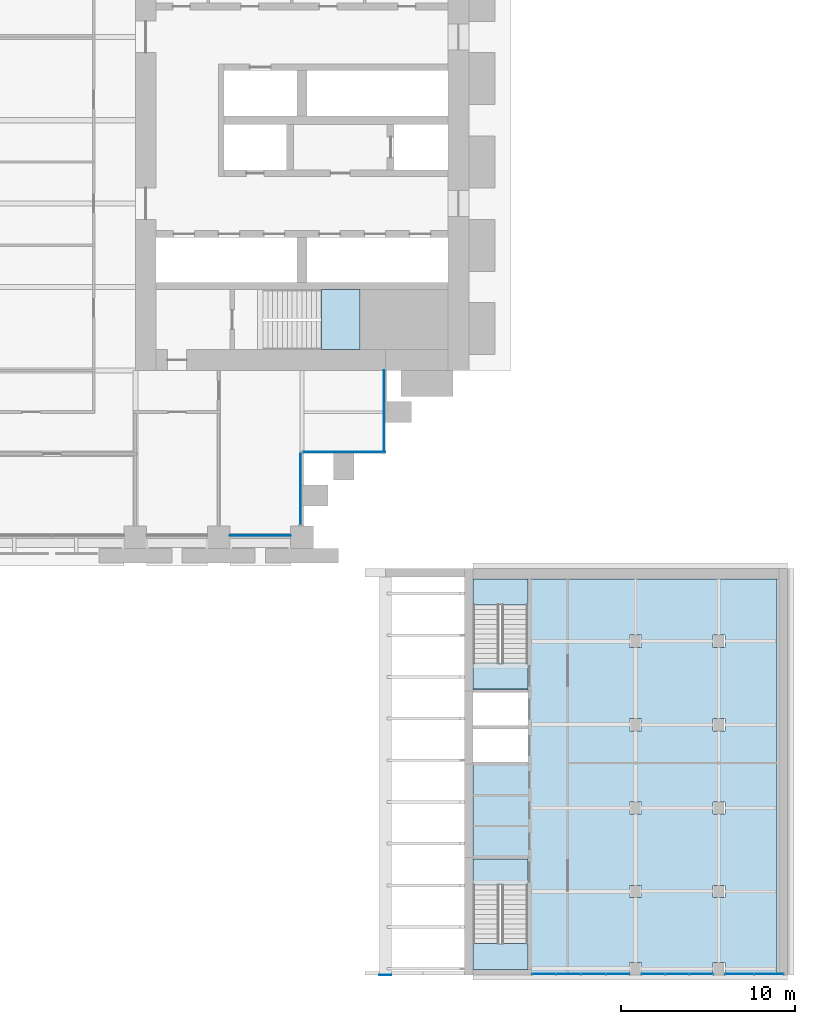
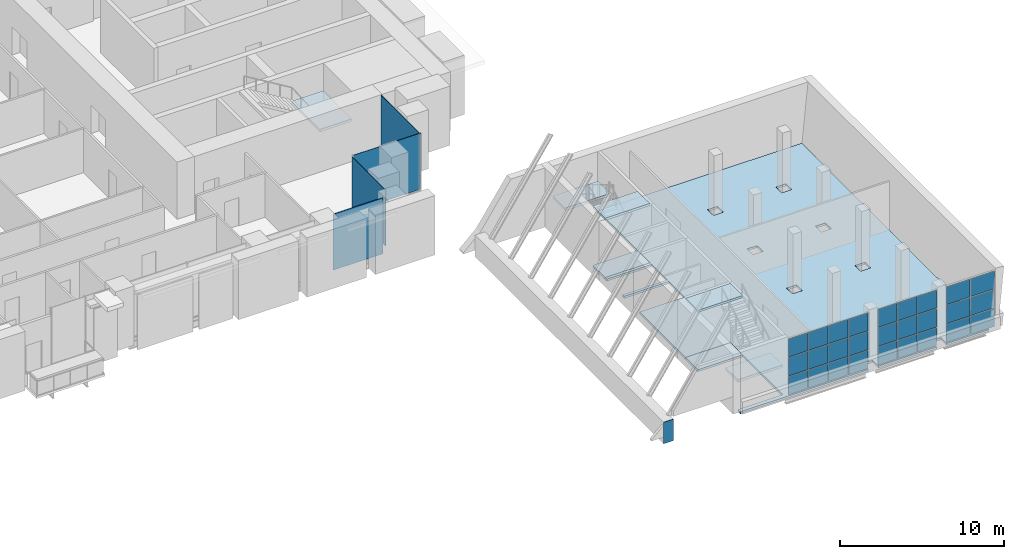
# One storey, part 20 of 32: 32 plates, 8 slabs, 10 elements without a shape of their own.
"""IFC4 building model written with IfcOpenShell, lengths in metres."""

from ifc_helpers import new_model, si_unit, direction, frame, origin, origin_2d, place, context, subcontext, project, spatial, polyline, rectangle, outline, extrude, material, layer, layer_set, type_object, element, aggregate, save


model = new_model("IFC4")

# Units and contexts
model_context = context("Model", 3, precision=1e-05, world=origin(), true_north=direction((0.0, 1.0)))
body_context = subcontext(model_context, "Body", "Model", "MODEL_VIEW")
ifc_project = project(units=[si_unit("LENGTHUNIT", "METRE"), si_unit("AREAUNIT", "SQUARE_METRE"), si_unit("VOLUMEUNIT", "CUBIC_METRE"), si_unit("PLANEANGLEUNIT", "RADIAN"), si_unit("MASSUNIT", "GRAM", prefix="KILO")], contexts=[model_context])

# Site, building, storey
site_placement = place(None, origin())
site = spatial("IfcSite", under=ifc_project, at=site_placement, CompositionType="ELEMENT")
building_placement = place(site_placement, origin())
building = spatial("IfcBuilding", under=site, at=building_placement, Name="Baori Bourse Tower", CompositionType="ELEMENT")
storey_placement = place(building_placement, frame((0.0, 0.0, 21.39990234375)))
storey = spatial("IfcBuildingStorey", under=building, at=storey_placement, Name="L03", CompositionType="ELEMENT", Elevation=21.39990234375)

# Curtain wall, plate
ifc_material_1 = material(Name="Pale anodised aluminium", Category="aluminium")
curtain_wall_type_1 = type_object("IfcCurtainWallType", Name="CW1 Curtain wall", PredefinedType="NOTDEFINED", material=ifc_material_1)
curtain_wall_1_placement = place(storey_placement, origin())
curtain_wall_1 = element("IfcCurtainWall", 1, at=curtain_wall_1_placement, inside=storey, type_object=curtain_wall_type_1, Name="Curtain wall CW1 L03 15", PredefinedType="NOTDEFINED")
ifc_material_2 = material(Name="Clear glass", Category="glass")
ifc_layer_1 = layer(ifc_material_2, 0.033935546875)
ifc_layer_set_1 = layer_set([ifc_layer_1], Name="CW1 Curtain wall panel")
plate_type_1 = type_object("IfcPlateType", Name="CW1 Curtain wall panel", PredefinedType="CURTAIN_PANEL", material=ifc_layer_set_1)
plate_1_placement = place(storey_placement, frame((45.60009765625, 0.10009765625, 0.080078125), z_axis=(0.0, 0.0, 1.0), x_axis=(1.0, 0.0, 0.0)))
plate_1 = element("IfcPlate", 2, at=plate_1_placement, type_object=plate_type_1, Name="Curtain wall CW1 panel", PredefinedType="CURTAIN_PANEL", context=body_context, shape_type="SweptSolid", body=[
    extrude(rectangle(XDim=3.5, YDim=0.033935546875, at=origin_2d()), origin(), (0.0, 0.0, 1.0), 4.159912109375),
])
aggregate(curtain_wall_1, [plate_1])

ifc_material_3 = material(Name="Pale anodised aluminium", Category="aluminium")
curtain_wall_type_2 = type_object("IfcCurtainWallType", Name="CW2 Curtain wall", PredefinedType="NOTDEFINED", material=ifc_material_3)
curtain_wall_2_placement = place(storey_placement, origin())
curtain_wall_2 = element("IfcCurtainWall", 3, at=curtain_wall_2_placement, inside=storey, type_object=curtain_wall_type_2, Name="Curtain wall CW2 L03 16", PredefinedType="NOTDEFINED")
ifc_material_4 = material(Name="Clear glass", Category="glass")
ifc_layer_2 = layer(ifc_material_4, 0.030029296875)
ifc_layer_set_2 = layer_set([ifc_layer_2], Name="CW2 Curtain wall panel")
plate_type_2 = type_object("IfcPlateType", Name="CW2 Curtain wall panel", PredefinedType="CURTAIN_PANEL", material=ifc_layer_set_2)
plate_2_placement = place(storey_placement, frame((47.909912109375, 2.75244140625, 0.070068359375), z_axis=(0.0, 0.0, 1.0), x_axis=(0.0, 1.0, 0.0)))
plate_2 = element("IfcPlate", 4, at=plate_2_placement, type_object=plate_type_2, Name="Curtain wall CW2 panel", PredefinedType="CURTAIN_PANEL", context=body_context, shape_type="SweptSolid", body=[
    extrude(rectangle(XDim=4.094970703125, YDim=0.030029296875, at=origin_2d()), origin(), (0.0, 0.0, 1.0), 4.169921875),
])
aggregate(curtain_wall_2, [plate_2])

curtain_wall_3_placement = place(storey_placement, origin())
curtain_wall_3 = element("IfcCurtainWall", 5, at=curtain_wall_3_placement, inside=storey, type_object=curtain_wall_type_2, Name="Curtain wall CW2 L03 17", PredefinedType="NOTDEFINED")
plate_3_placement = place(storey_placement, frame((50.427490234375, 4.889892578125, 0.070068359375), z_axis=(0.0, 0.0, 1.0), x_axis=(1.0, 0.0, 0.0)))
plate_3 = element("IfcPlate", 6, at=plate_3_placement, type_object=plate_type_2, Name="Curtain wall CW2 panel", PredefinedType="CURTAIN_PANEL", context=body_context, shape_type="SweptSolid", body=[
    extrude(rectangle(XDim=4.7451171875, YDim=0.030029296875, at=origin_2d()), origin(), (0.0, 0.0, 1.0), 4.169921875),
])
aggregate(curtain_wall_3, [plate_3])

curtain_wall_4_placement = place(storey_placement, origin())
curtain_wall_4 = element("IfcCurtainWall", 7, at=curtain_wall_4_placement, inside=storey, type_object=curtain_wall_type_2, Name="Curtain wall CW2 L03 18", PredefinedType="NOTDEFINED")
plate_4_placement = place(storey_placement, frame((52.7099609375, 7.2275390625, 0.070068359375), z_axis=(0.0, 0.0, 1.0), x_axis=(0.0, 1.0, 0.0)))
plate_4 = element("IfcPlate", 8, at=plate_4_placement, type_object=plate_type_2, Name="Curtain wall CW2 panel", PredefinedType="CURTAIN_PANEL", context=body_context, shape_type="SweptSolid", body=[
    extrude(rectangle(XDim=4.7451171875, YDim=0.030029296875, at=origin_2d()), origin(), (0.0, 0.0, 1.0), 4.169921875),
])
aggregate(curtain_wall_4, [plate_4])

# Stair, slab
ifc_material_5 = material(Name="Concrete f'c 50 MPa", Category="concrete")
stair_type_1 = type_object("IfcStairType", Name="Core stair", PredefinedType="HALF_TURN_STAIR", material=ifc_material_5)
stair_1_placement = place(storey_placement, origin())
stair_1 = element("IfcStair", 9, at=stair_1_placement, inside=storey, type_object=stair_type_1, Name="L03 Stair EA", PredefinedType="HALF_TURN_STAIR")
ifc_material_6 = material(Name="Concrete f'c 50 MPa", Category="concrete")
slab_type_1 = type_object("IfcSlabType", Name="Core stair landing", PredefinedType="LANDING", material=ifc_material_6)
slab_1_placement = place(storey_placement, frame((0.0, 0.0, 2.0)))
slab_1 = element("IfcSlab", 10, at=slab_1_placement, type_object=slab_type_1, Name="ST3 landing 1", PredefinedType="LANDING", context=body_context, shape_type="SweptSolid", body=[
    extrude(outline(polyline([(49.110107421875, 10.800048828125), (51.35009765625, 10.800048828125), (51.35009765625, 14.25), (49.110107421875, 14.25), (49.110107421875, 10.800048828125)])), origin(), (0.0, 0.0, 1.0), 0.2001953125),
])
aggregate(stair_1, [slab_1])

# Stair, slabs
ifc_material_7 = material(Name="Concrete f'c 40 MPa", Category="concrete")
stair_type_2 = type_object("IfcStairType", Name="Wing exit stair 1500", PredefinedType="HALF_TURN_STAIR", material=ifc_material_7)
stair_2_placement = place(storey_placement, origin())
stair_2 = element("IfcStair", 11, at=stair_2_placement, inside=storey, type_object=stair_type_2, Name="L03 Exit stair EA", PredefinedType="HALF_TURN_STAIR")
ifc_material_8 = material(Name="Concrete f'c 40 MPa", Category="concrete")
ifc_layer_3 = layer(ifc_material_8, 0.159912109375)
ifc_layer_set_3 = layer_set([ifc_layer_3], Name="Exit stair arrival landing 160")
slab_type_2 = type_object("IfcSlabType", Name="Exit stair arrival landing 160", PredefinedType="LANDING", material=ifc_layer_set_3)
slab_2_placement = place(storey_placement, frame((0.0, 0.0, -0.159912109375)))
slab_2 = element("IfcSlab", 12, at=slab_2_placement, type_object=slab_type_2, Name="L03 exit stair EA arrival landing", PredefinedType="LANDING", context=body_context, shape_type="SweptSolid", body=[
    extrude(outline(polyline([(61.0, -7.258544921875), (57.85009765625, -7.258544921875), (57.85009765625, -8.760009765625), (61.0, -8.760009765625), (61.0, -7.258544921875)])), origin(), (0.0, 0.0, 1.0), 0.159912109375),
])
placement = place(building_placement, frame((0.0, 0.0, 25.800048828125)))
slab_3_placement = place(placement, frame((0.0, 0.0, -0.16015625)))
slab_3 = element("IfcSlab", 13, at=slab_3_placement, type_object=slab_type_2, Name="L04 exit stair EA arrival landing", PredefinedType="LANDING", context=body_context, shape_type="SweptSolid", body=[
    extrude(outline(polyline([(61.0, -7.258544921875), (57.85009765625, -7.258544921875), (57.85009765625, -8.760009765625), (61.0, -8.760009765625), (61.0, -7.258544921875)])), origin(), (0.0, 0.0, 1.0), 0.16015625),
])

stair_3_placement = place(storey_placement, origin())
stair_3 = element("IfcStair", 14, at=stair_3_placement, inside=storey, type_object=stair_type_2, Name="L03 Exit stair EB", PredefinedType="HALF_TURN_STAIR")
slab_4_placement = place(storey_placement, frame((0.0, 0.0, -0.159912109375)))
slab_4 = element("IfcSlab", 15, at=slab_4_placement, type_object=slab_type_2, Name="L03 exit stair EB arrival landing", PredefinedType="LANDING", context=body_context, shape_type="SweptSolid", body=[
    extrude(outline(polyline([(57.85009765625, -20.04150390625), (61.0, -20.04150390625), (61.0, -18.5400390625), (57.85009765625, -18.5400390625), (57.85009765625, -20.04150390625)])), origin(), (0.0, 0.0, 1.0), 0.159912109375),
])
slab_5_placement = place(placement, frame((0.0, 0.0, -0.16015625)))
slab_5 = element("IfcSlab", 16, at=slab_5_placement, type_object=slab_type_2, Name="L04 exit stair EB arrival landing", PredefinedType="LANDING", context=body_context, shape_type="SweptSolid", body=[
    extrude(outline(polyline([(57.85009765625, -20.04150390625), (61.0, -20.04150390625), (61.0, -18.5400390625), (57.85009765625, -18.5400390625), (57.85009765625, -20.04150390625)])), origin(), (0.0, 0.0, 1.0), 0.16015625),
])

# Plate
ifc_material_9 = material(Name="Steel A572 Gr 50", Category="steel")
ifc_layer_4 = layer(ifc_material_9, 0.030029296875)
ifc_layer_set_4 = layer_set([ifc_layer_4], Name="Girder end plate 30")
plate_type_3 = type_object("IfcPlateType", Name="Girder end plate 30", PredefinedType="SHEET", material=ifc_layer_set_4)
plate_5_placement = place(storey_placement, frame((0.0, 0.0, -0.47314453125)))
element("IfcPlate", 17, at=plate_5_placement, inside=storey, type_object=plate_type_3, Name="Girder end plate", PredefinedType="SHEET", context=body_context, shape_type="SweptSolid", body=[
    extrude(outline(polyline([(52.449951171875, -25.22998046875), (53.14990234375, -25.22998046875), (53.14990234375, -25.199951171875), (52.449951171875, -25.199951171875), (52.449951171875, -25.22998046875)])), origin(), (0.0, 0.0, 1.0), 1.599853515625),
])

# Slab
ifc_material_10 = material(Name="Concrete f'c 40 MPa", Category="concrete")
ifc_layer_5 = layer(ifc_material_10, 0.159912109375)
ifc_layer_set_5 = layer_set([ifc_layer_5], Name="Wing floor slab 160")
slab_type_3 = type_object("IfcSlabType", Name="Wing floor slab 160", PredefinedType="FLOOR", material=ifc_layer_set_5)
slab_6_placement = place(storey_placement, frame((0.0, 0.0, -0.159912109375)))
element("IfcSlab", 18, at=slab_6_placement, inside=storey, type_object=slab_type_3, Name="wing/L03/Efloor/001", PredefinedType="FLOOR", context=body_context, shape_type="SweptSolid", body=[
    extrude(outline(polyline([(61.0, -10.860107421875), (57.85009765625, -10.860107421875), (57.85009765625, -11.06005859375), (61.0, -11.06005859375), (61.0, -12.9599609375), (57.85009765625, -12.9599609375), (57.85009765625, -18.5400390625), (61.0, -18.5400390625), (61.0, -24.89990234375), (57.85009765625, -24.89990234375), (57.85009765625, -25.199951171875), (66.85009765625, -25.199951171875), (66.85009765625, -24.5), (67.550048828125, -24.5), (67.550048828125, -25.199951171875), (71.64990234375, -25.199951171875), (71.64990234375, -24.5), (72.35009765625, -24.5), (72.35009765625, -25.199951171875), (75.33447265625, -25.199951171875), (75.33447265625, -2.39990234375), (61.0, -2.39990234375), (61.0, -8.760009765625), (57.85009765625, -8.760009765625), (57.85009765625, -8.9599609375), (61.0, -8.9599609375), (61.0, -10.860107421875)]), holes=[polyline([(71.64990234375, -20.050048828125), (71.64990234375, -20.75), (72.35009765625, -20.75), (72.35009765625, -20.050048828125), (71.64990234375, -20.050048828125)]), polyline([(71.64990234375, -15.949951171875), (72.35009765625, -15.949951171875), (72.35009765625, -15.25), (71.64990234375, -15.25), (71.64990234375, -15.949951171875)]), polyline([(72.35009765625, -11.14990234375), (72.35009765625, -10.449951171875), (71.64990234375, -10.449951171875), (71.64990234375, -11.14990234375), (72.35009765625, -11.14990234375)]), polyline([(72.35009765625, -5.64990234375), (71.64990234375, -5.64990234375), (71.64990234375, -6.35009765625), (72.35009765625, -6.35009765625), (72.35009765625, -5.64990234375)]), polyline([(66.85009765625, -20.75), (67.550048828125, -20.75), (67.550048828125, -20.050048828125), (66.85009765625, -20.050048828125), (66.85009765625, -20.75)]), polyline([(67.550048828125, -15.949951171875), (67.550048828125, -15.25), (66.85009765625, -15.25), (66.85009765625, -15.949951171875), (67.550048828125, -15.949951171875)]), polyline([(67.550048828125, -10.449951171875), (66.85009765625, -10.449951171875), (66.85009765625, -11.14990234375), (67.550048828125, -11.14990234375), (67.550048828125, -10.449951171875)]), polyline([(66.85009765625, -5.64990234375), (66.85009765625, -6.35009765625), (67.550048828125, -6.35009765625), (67.550048828125, -5.64990234375), (66.85009765625, -5.64990234375)])]), origin(), (0.0, 0.0, 1.0), 0.159912109375),
])

# Curtain wall, plates
ifc_material_11 = material(Name="Pale anodised aluminium", Category="aluminium")
ifc_layer_6 = layer(ifc_material_11, 0.10009765625)
ifc_layer_set_6 = layer_set([ifc_layer_6], Name="Wing curtain wall")
curtain_wall_type_3 = type_object("IfcCurtainWallType", Name="Wing curtain wall", PredefinedType="NOTDEFINED", material=ifc_layer_set_6)
curtain_wall_5_placement = place(storey_placement, origin())
curtain_wall_5 = element("IfcCurtainWall", 19, at=curtain_wall_5_placement, inside=storey, type_object=curtain_wall_type_3, Name="wing/L03/Ecw/001", PredefinedType="NOTDEFINED")
ifc_material_12 = material(Name="Clear glass", Category="glass")
ifc_layer_7 = layer(ifc_material_12, 0.028076171875)
ifc_layer_set_7 = layer_set([ifc_layer_7], Name="Wing glass panel 28")
plate_type_4 = type_object("IfcPlateType", Name="Wing glass panel 28", PredefinedType="CURTAIN_PANEL", material=ifc_layer_set_7)
plate_6_placement = place(storey_placement, frame((73.183349609375, -25.14990234375, 0.06005859375), z_axis=(0.0, 0.0, 1.0), x_axis=(1.0, 0.0, 0.0)))
plate_6 = element("IfcPlate", 20, at=plate_6_placement, type_object=plate_type_4, Name="X12 panel 1.1", PredefinedType="CURTAIN_PANEL", context=body_context, shape_type="SweptSolid", body=[
    extrude(rectangle(XDim=1.646728515625, YDim=0.028076171875, at=origin_2d()), origin(), (0.0, 0.0, 1.0), 1.3232421875),
])
plate_7_placement = place(storey_placement, frame((73.183349609375, -25.14990234375, 1.443359375), z_axis=(0.0, 0.0, 1.0), x_axis=(1.0, 0.0, 0.0)))
plate_7 = element("IfcPlate", 21, at=plate_7_placement, type_object=plate_type_4, Name="X12 panel 1.2", PredefinedType="CURTAIN_PANEL", context=body_context, shape_type="SweptSolid", body=[
    extrude(rectangle(XDim=1.646728515625, YDim=0.028076171875, at=origin_2d()), origin(), (0.0, 0.0, 1.0), 1.353271484375),
])
plate_8_placement = place(storey_placement, frame((73.183349609375, -25.14990234375, 2.856689453125), z_axis=(0.0, 0.0, 1.0), x_axis=(1.0, 0.0, 0.0)))
plate_8 = element("IfcPlate", 22, at=plate_8_placement, type_object=plate_type_4, Name="X12 panel 1.3", PredefinedType="CURTAIN_PANEL", context=body_context, shape_type="SweptSolid", body=[
    extrude(rectangle(XDim=1.646728515625, YDim=0.028076171875, at=origin_2d()), origin(), (0.0, 0.0, 1.0), 1.3232421875),
])
plate_9_placement = place(storey_placement, frame((74.89013671875, -25.14990234375, 0.06005859375), z_axis=(0.0, 0.0, 1.0), x_axis=(1.0, 0.0, 0.0)))
plate_9 = element("IfcPlate", 23, at=plate_9_placement, type_object=plate_type_4, Name="X12 panel 2.1", PredefinedType="CURTAIN_PANEL", context=body_context, shape_type="SweptSolid", body=[
    extrude(rectangle(XDim=1.646728515625, YDim=0.028076171875, at=origin_2d()), origin(), (0.0, 0.0, 1.0), 1.3232421875),
])
plate_10_placement = place(storey_placement, frame((74.89013671875, -25.14990234375, 1.443359375), z_axis=(0.0, 0.0, 1.0), x_axis=(1.0, 0.0, 0.0)))
plate_10 = element("IfcPlate", 24, at=plate_10_placement, type_object=plate_type_4, Name="X12 panel 2.2", PredefinedType="CURTAIN_PANEL", context=body_context, shape_type="SweptSolid", body=[
    extrude(rectangle(XDim=1.646728515625, YDim=0.028076171875, at=origin_2d()), origin(), (0.0, 0.0, 1.0), 1.353271484375),
])
plate_11_placement = place(storey_placement, frame((74.89013671875, -25.14990234375, 2.856689453125), z_axis=(0.0, 0.0, 1.0), x_axis=(1.0, 0.0, 0.0)))
plate_11 = element("IfcPlate", 25, at=plate_11_placement, type_object=plate_type_4, Name="X12 panel 2.3", PredefinedType="CURTAIN_PANEL", context=body_context, shape_type="SweptSolid", body=[
    extrude(rectangle(XDim=1.646728515625, YDim=0.028076171875, at=origin_2d()), origin(), (0.0, 0.0, 1.0), 1.3232421875),
])
aggregate(curtain_wall_5, [plate_6, plate_7, plate_8, plate_9, plate_10, plate_11])

curtain_wall_6_placement = place(storey_placement, origin())
curtain_wall_6 = element("IfcCurtainWall", 26, at=curtain_wall_6_placement, inside=storey, type_object=curtain_wall_type_3, Name="wing/L03/Ecw/002", PredefinedType="NOTDEFINED")
plate_12_placement = place(storey_placement, frame((68.215087890625, -25.14990234375, 0.06005859375), z_axis=(0.0, 0.0, 1.0), x_axis=(1.0, 0.0, 0.0)))
plate_12 = element("IfcPlate", 27, at=plate_12_placement, type_object=plate_type_4, Name="X12 panel 1.1", PredefinedType="CURTAIN_PANEL", context=body_context, shape_type="SweptSolid", body=[
    extrude(rectangle(XDim=1.31005859375, YDim=0.028076171875, at=origin_2d()), origin(), (0.0, 0.0, 1.0), 1.3232421875),
])
plate_13_placement = place(storey_placement, frame((68.215087890625, -25.14990234375, 1.443359375), z_axis=(0.0, 0.0, 1.0), x_axis=(1.0, 0.0, 0.0)))
plate_13 = element("IfcPlate", 28, at=plate_13_placement, type_object=plate_type_4, Name="X12 panel 1.2", PredefinedType="CURTAIN_PANEL", context=body_context, shape_type="SweptSolid", body=[
    extrude(rectangle(XDim=1.31005859375, YDim=0.028076171875, at=origin_2d()), origin(), (0.0, 0.0, 1.0), 1.353271484375),
])
plate_14_placement = place(storey_placement, frame((68.215087890625, -25.14990234375, 2.856689453125), z_axis=(0.0, 0.0, 1.0), x_axis=(1.0, 0.0, 0.0)))
plate_14 = element("IfcPlate", 29, at=plate_14_placement, type_object=plate_type_4, Name="X12 panel 1.3", PredefinedType="CURTAIN_PANEL", context=body_context, shape_type="SweptSolid", body=[
    extrude(rectangle(XDim=1.31005859375, YDim=0.028076171875, at=origin_2d()), origin(), (0.0, 0.0, 1.0), 1.3232421875),
])
plate_15_placement = place(storey_placement, frame((69.60009765625, -25.14990234375, 0.06005859375), z_axis=(0.0, 0.0, 1.0), x_axis=(1.0, 0.0, 0.0)))
plate_15 = element("IfcPlate", 30, at=plate_15_placement, type_object=plate_type_4, Name="X12 panel 2.1", PredefinedType="CURTAIN_PANEL", context=body_context, shape_type="SweptSolid", body=[
    extrude(rectangle(XDim=1.340087890625, YDim=0.028076171875, at=origin_2d()), origin(), (0.0, 0.0, 1.0), 1.3232421875),
])
plate_16_placement = place(storey_placement, frame((69.60009765625, -25.14990234375, 1.443359375), z_axis=(0.0, 0.0, 1.0), x_axis=(1.0, 0.0, 0.0)))
plate_16 = element("IfcPlate", 31, at=plate_16_placement, type_object=plate_type_4, Name="X12 panel 2.2", PredefinedType="CURTAIN_PANEL", context=body_context, shape_type="SweptSolid", body=[
    extrude(rectangle(XDim=1.340087890625, YDim=0.028076171875, at=origin_2d()), origin(), (0.0, 0.0, 1.0), 1.353271484375),
])
plate_17_placement = place(storey_placement, frame((69.60009765625, -25.14990234375, 2.856689453125), z_axis=(0.0, 0.0, 1.0), x_axis=(1.0, 0.0, 0.0)))
plate_17 = element("IfcPlate", 32, at=plate_17_placement, type_object=plate_type_4, Name="X12 panel 2.3", PredefinedType="CURTAIN_PANEL", context=body_context, shape_type="SweptSolid", body=[
    extrude(rectangle(XDim=1.340087890625, YDim=0.028076171875, at=origin_2d()), origin(), (0.0, 0.0, 1.0), 1.3232421875),
])
plate_18_placement = place(storey_placement, frame((70.985107421875, -25.14990234375, 0.06005859375), z_axis=(0.0, 0.0, 1.0), x_axis=(1.0, 0.0, 0.0)))
plate_18 = element("IfcPlate", 33, at=plate_18_placement, type_object=plate_type_4, Name="X12 panel 3.1", PredefinedType="CURTAIN_PANEL", context=body_context, shape_type="SweptSolid", body=[
    extrude(rectangle(XDim=1.31005859375, YDim=0.028076171875, at=origin_2d()), origin(), (0.0, 0.0, 1.0), 1.3232421875),
])
plate_19_placement = place(storey_placement, frame((70.985107421875, -25.14990234375, 1.443359375), z_axis=(0.0, 0.0, 1.0), x_axis=(1.0, 0.0, 0.0)))
plate_19 = element("IfcPlate", 34, at=plate_19_placement, type_object=plate_type_4, Name="X12 panel 3.2", PredefinedType="CURTAIN_PANEL", context=body_context, shape_type="SweptSolid", body=[
    extrude(rectangle(XDim=1.31005859375, YDim=0.028076171875, at=origin_2d()), origin(), (0.0, 0.0, 1.0), 1.353271484375),
])
plate_20_placement = place(storey_placement, frame((70.985107421875, -25.14990234375, 2.856689453125), z_axis=(0.0, 0.0, 1.0), x_axis=(1.0, 0.0, 0.0)))
plate_20 = element("IfcPlate", 35, at=plate_20_placement, type_object=plate_type_4, Name="X12 panel 3.3", PredefinedType="CURTAIN_PANEL", context=body_context, shape_type="SweptSolid", body=[
    extrude(rectangle(XDim=1.31005859375, YDim=0.028076171875, at=origin_2d()), origin(), (0.0, 0.0, 1.0), 1.3232421875),
])
aggregate(curtain_wall_6, [plate_12, plate_13, plate_14, plate_15, plate_16, plate_17, plate_18, plate_19, plate_20])

curtain_wall_7_placement = place(storey_placement, origin())
curtain_wall_7 = element("IfcCurtainWall", 36, at=curtain_wall_7_placement, inside=storey, type_object=curtain_wall_type_3, Name="wing/L03/Ecw/003", PredefinedType="NOTDEFINED")
plate_21_placement = place(storey_placement, frame((61.927490234375, -25.14990234375, 0.06005859375), z_axis=(0.0, 0.0, 1.0), x_axis=(1.0, 0.0, 0.0)))
plate_21 = element("IfcPlate", 37, at=plate_21_placement, type_object=plate_type_4, Name="X12 panel 1.1", PredefinedType="CURTAIN_PANEL", context=body_context, shape_type="SweptSolid", body=[
    extrude(rectangle(XDim=1.3349609375, YDim=0.028076171875, at=origin_2d()), origin(), (0.0, 0.0, 1.0), 1.3232421875),
])
plate_22_placement = place(storey_placement, frame((61.927490234375, -25.14990234375, 1.443359375), z_axis=(0.0, 0.0, 1.0), x_axis=(1.0, 0.0, 0.0)))
plate_22 = element("IfcPlate", 38, at=plate_22_placement, type_object=plate_type_4, Name="X12 panel 1.2", PredefinedType="CURTAIN_PANEL", context=body_context, shape_type="SweptSolid", body=[
    extrude(rectangle(XDim=1.3349609375, YDim=0.028076171875, at=origin_2d()), origin(), (0.0, 0.0, 1.0), 1.353271484375),
])
plate_23_placement = place(storey_placement, frame((61.927490234375, -25.14990234375, 2.856689453125), z_axis=(0.0, 0.0, 1.0), x_axis=(1.0, 0.0, 0.0)))
plate_23 = element("IfcPlate", 39, at=plate_23_placement, type_object=plate_type_4, Name="X12 panel 1.3", PredefinedType="CURTAIN_PANEL", context=body_context, shape_type="SweptSolid", body=[
    extrude(rectangle(XDim=1.3349609375, YDim=0.028076171875, at=origin_2d()), origin(), (0.0, 0.0, 1.0), 1.3232421875),
])
plate_24_placement = place(storey_placement, frame((63.33740234375, -25.14990234375, 0.06005859375), z_axis=(0.0, 0.0, 1.0), x_axis=(1.0, 0.0, 0.0)))
plate_24 = element("IfcPlate", 40, at=plate_24_placement, type_object=plate_type_4, Name="X12 panel 2.1", PredefinedType="CURTAIN_PANEL", context=body_context, shape_type="SweptSolid", body=[
    extrude(rectangle(XDim=1.364990234375, YDim=0.028076171875, at=origin_2d()), origin(), (0.0, 0.0, 1.0), 1.3232421875),
])
plate_25_placement = place(storey_placement, frame((63.33740234375, -25.14990234375, 1.443359375), z_axis=(0.0, 0.0, 1.0), x_axis=(1.0, 0.0, 0.0)))
plate_25 = element("IfcPlate", 41, at=plate_25_placement, type_object=plate_type_4, Name="X12 panel 2.2", PredefinedType="CURTAIN_PANEL", context=body_context, shape_type="SweptSolid", body=[
    extrude(rectangle(XDim=1.364990234375, YDim=0.028076171875, at=origin_2d()), origin(), (0.0, 0.0, 1.0), 1.353271484375),
])
plate_26_placement = place(storey_placement, frame((63.33740234375, -25.14990234375, 2.856689453125), z_axis=(0.0, 0.0, 1.0), x_axis=(1.0, 0.0, 0.0)))
plate_26 = element("IfcPlate", 42, at=plate_26_placement, type_object=plate_type_4, Name="X12 panel 2.3", PredefinedType="CURTAIN_PANEL", context=body_context, shape_type="SweptSolid", body=[
    extrude(rectangle(XDim=1.364990234375, YDim=0.028076171875, at=origin_2d()), origin(), (0.0, 0.0, 1.0), 1.3232421875),
])
plate_27_placement = place(storey_placement, frame((64.762451171875, -25.14990234375, 0.06005859375), z_axis=(0.0, 0.0, 1.0), x_axis=(1.0, 0.0, 0.0)))
plate_27 = element("IfcPlate", 43, at=plate_27_placement, type_object=plate_type_4, Name="X12 panel 3.1", PredefinedType="CURTAIN_PANEL", context=body_context, shape_type="SweptSolid", body=[
    extrude(rectangle(XDim=1.364990234375, YDim=0.028076171875, at=origin_2d()), origin(), (0.0, 0.0, 1.0), 1.3232421875),
])
plate_28_placement = place(storey_placement, frame((64.762451171875, -25.14990234375, 1.443359375), z_axis=(0.0, 0.0, 1.0), x_axis=(1.0, 0.0, 0.0)))
plate_28 = element("IfcPlate", 44, at=plate_28_placement, type_object=plate_type_4, Name="X12 panel 3.2", PredefinedType="CURTAIN_PANEL", context=body_context, shape_type="SweptSolid", body=[
    extrude(rectangle(XDim=1.364990234375, YDim=0.028076171875, at=origin_2d()), origin(), (0.0, 0.0, 1.0), 1.353271484375),
])
plate_29_placement = place(storey_placement, frame((64.762451171875, -25.14990234375, 2.856689453125), z_axis=(0.0, 0.0, 1.0), x_axis=(1.0, 0.0, 0.0)))
plate_29 = element("IfcPlate", 45, at=plate_29_placement, type_object=plate_type_4, Name="X12 panel 3.3", PredefinedType="CURTAIN_PANEL", context=body_context, shape_type="SweptSolid", body=[
    extrude(rectangle(XDim=1.364990234375, YDim=0.028076171875, at=origin_2d()), origin(), (0.0, 0.0, 1.0), 1.3232421875),
])
plate_30_placement = place(storey_placement, frame((66.172607421875, -25.14990234375, 0.06005859375), z_axis=(0.0, 0.0, 1.0), x_axis=(1.0, 0.0, 0.0)))
plate_30 = element("IfcPlate", 46, at=plate_30_placement, type_object=plate_type_4, Name="X12 panel 4.1", PredefinedType="CURTAIN_PANEL", context=body_context, shape_type="SweptSolid", body=[
    extrude(rectangle(XDim=1.3349609375, YDim=0.028076171875, at=origin_2d()), origin(), (0.0, 0.0, 1.0), 1.3232421875),
])
plate_31_placement = place(storey_placement, frame((66.172607421875, -25.14990234375, 1.443359375), z_axis=(0.0, 0.0, 1.0), x_axis=(1.0, 0.0, 0.0)))
plate_31 = element("IfcPlate", 47, at=plate_31_placement, type_object=plate_type_4, Name="X12 panel 4.2", PredefinedType="CURTAIN_PANEL", context=body_context, shape_type="SweptSolid", body=[
    extrude(rectangle(XDim=1.3349609375, YDim=0.028076171875, at=origin_2d()), origin(), (0.0, 0.0, 1.0), 1.353271484375),
])
plate_32_placement = place(storey_placement, frame((66.172607421875, -25.14990234375, 2.856689453125), z_axis=(0.0, 0.0, 1.0), x_axis=(1.0, 0.0, 0.0)))
plate_32 = element("IfcPlate", 48, at=plate_32_placement, type_object=plate_type_4, Name="X12 panel 4.3", PredefinedType="CURTAIN_PANEL", context=body_context, shape_type="SweptSolid", body=[
    extrude(rectangle(XDim=1.3349609375, YDim=0.028076171875, at=origin_2d()), origin(), (0.0, 0.0, 1.0), 1.3232421875),
])
aggregate(curtain_wall_7, [plate_21, plate_22, plate_23, plate_24, plate_25, plate_26, plate_27, plate_28, plate_29, plate_30, plate_31, plate_32])

# Slab
ifc_material_13 = material(Name="Concrete f'c 40 MPa", Category="concrete")
ifc_layer_8 = layer(ifc_material_13, 0.199951171875)
ifc_layer_set_8 = layer_set([ifc_layer_8], Name="Wing stair landing 200")
slab_type_4 = type_object("IfcSlabType", Name="Wing stair landing 200", PredefinedType="LANDING", material=ifc_layer_set_8)
slab_7_placement = place(storey_placement, frame((0.0, 0.0, 2.0)))
slab_7 = element("IfcSlab", 49, at=slab_7_placement, type_object=slab_type_4, Name="E-STA landing 1", PredefinedType="LANDING", context=body_context, shape_type="SweptSolid", body=[
    extrude(outline(polyline([(61.0, -3.89990234375), (61.0, -2.39990234375), (57.85009765625, -2.39990234375), (57.85009765625, -3.89990234375), (61.0, -3.89990234375)])), origin(), (0.0, 0.0, 1.0), 0.2001953125),
])

aggregate(stair_2, [slab_7, slab_2, slab_3])

slab_8_placement = place(storey_placement, frame((0.0, 0.0, 2.0)))
slab_8 = element("IfcSlab", 50, at=slab_8_placement, type_object=slab_type_4, Name="E-STB landing 1", PredefinedType="LANDING", context=body_context, shape_type="SweptSolid", body=[
    extrude(outline(polyline([(57.85009765625, -23.39990234375), (57.85009765625, -24.89990234375), (61.0, -24.89990234375), (61.0, -23.39990234375), (57.85009765625, -23.39990234375)])), origin(), (0.0, 0.0, 1.0), 0.2001953125),
])

aggregate(stair_3, [slab_8, slab_4, slab_5])

save(model, "model.ifc")
